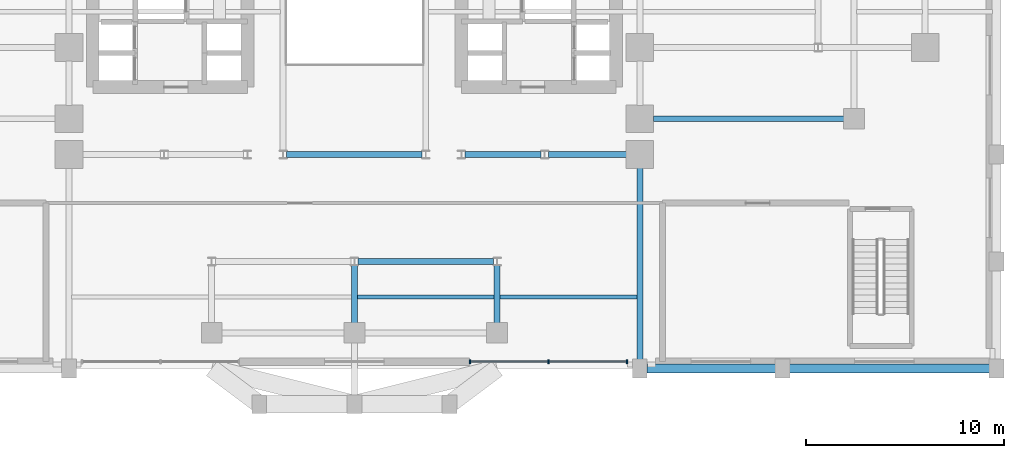
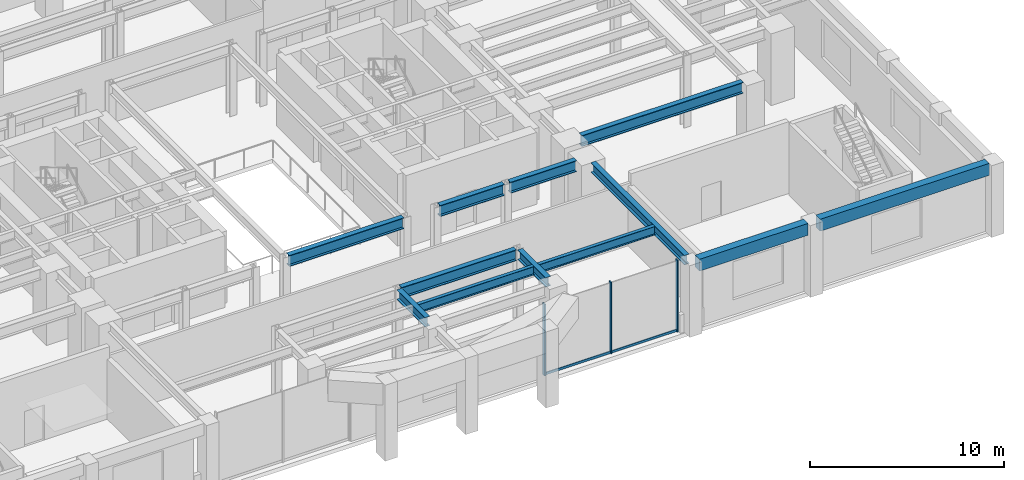
# One storey, part 6 of 14: 12 beams, 5 members, 1 element without a shape of its own.
"""IFC4 building model written with IfcOpenShell, lengths in metres."""

from ifc_helpers import new_model, si_unit, direction, frame, origin, origin_2d, place, context, subcontext, project, spatial, rectangle, i_section, extrude, source, transform, mapped, material, material_profile, profile_set, type_object, element, aggregate, save


model = new_model("IFC4")

# Units and contexts
model_context = context("Model", 3, precision=1e-05, world=origin(), true_north=direction((0.0, 1.0)))
body_context = subcontext(model_context, "Body", "Model", "MODEL_VIEW")
ifc_project = project(units=[si_unit("LENGTHUNIT", "METRE"), si_unit("AREAUNIT", "SQUARE_METRE"), si_unit("VOLUMEUNIT", "CUBIC_METRE"), si_unit("PLANEANGLEUNIT", "RADIAN"), si_unit("MASSUNIT", "GRAM", prefix="KILO")], contexts=[model_context])

# Site, building, storey
site_placement = place(None, origin())
site = spatial("IfcSite", under=ifc_project, at=site_placement, CompositionType="ELEMENT")
building_placement = place(site_placement, origin())
building = spatial("IfcBuilding", under=site, at=building_placement, Name="Keilestroom Media Tower", CompositionType="ELEMENT")
storey_placement = place(building_placement, frame((0.0, 0.0, 5.39990234375)))
storey = spatial("IfcBuildingStorey", under=building, at=storey_placement, Name="L01", CompositionType="ELEMENT", Elevation=5.39990234375)

# Beams
ifc_material_1 = material(Name="Precast concrete C40/50", Category="concrete")
ifc_material_profile_1 = material_profile(ifc_material_1, rectangle(XDim=0.449951171875, YDim=0.75, at=origin_2d()), Name="PC 450x750")
ifc_profile_set_1 = profile_set([ifc_material_profile_1], Name="Precast concrete C40/50")
beam_type_1 = type_object("IfcBeamType", Name="Perimeter-Spandrel-Beam-PC-450x750", PredefinedType="SPANDREL", material=ifc_profile_set_1)
shared_shape_1 = source(origin(), body_context, "Body", "SweptSolid", [
    extrude(rectangle(XDim=0.449951171875, YDim=0.75, at=origin_2d()), origin(), (0.0, 0.0, 1.0), 10.08984375),
])
beam_1_placement = place(storey_placement, frame((21.955078125, -19.800048828125, 4.14501953125), z_axis=(1.0, 0.0, 0.0), x_axis=(0.0, 1.0, 0.0)))
element("IfcBeam", 1, at=beam_1_placement, inside=storey, type_object=beam_type_1, Name="L01 Beam SPB-1 BM-L01-EW-004", PredefinedType="SPANDREL", context=body_context, shape_type="MappedRepresentation", body=[
    mapped(shared_shape_1, transform((0.0, 0.0, 0.0), x_axis=(1.0, 0.0, 0.0), y_axis=(0.0, 1.0, 0.0), z_axis=(0.0, 0.0, 1.0), scale=1.0)),
])
shared_shape_2 = source(origin(), body_context, "Body", "SweptSolid", [
    extrude(rectangle(XDim=0.449951171875, YDim=0.75, at=origin_2d()), origin(), (0.0, 0.0, 1.0), 6.490234375),
])
beam_2_placement = place(storey_placement, frame((14.7548828125, -19.800048828125, 4.14501953125), z_axis=(1.0, 0.0, 0.0), x_axis=(0.0, 1.0, 0.0)))
element("IfcBeam", 2, at=beam_2_placement, inside=storey, type_object=beam_type_1, Name="L01 Beam SPB-1 BM-L01-EW-003", PredefinedType="SPANDREL", context=body_context, shape_type="MappedRepresentation", body=[
    mapped(shared_shape_2, transform((0.0, 0.0, 0.0), x_axis=(1.0, 0.0, 0.0), y_axis=(0.0, 1.0, 0.0), z_axis=(0.0, 0.0, 1.0), scale=1.0)),
])
ifc_material_2 = material(Name="Steel S355", Category="steel")
ifc_material_profile_2 = material_profile(ifc_material_2, i_section(OverallWidth=0.300048828125, OverallDepth=0.60009765625, WebThickness=0.013427734375, FlangeThickness=0.030029296875, at=origin_2d()), Name="HEB 600")
ifc_profile_set_2 = profile_set([ifc_material_profile_2], Name="Steel S355")
beam_type_2 = type_object("IfcBeamType", Name="Primary-Structural-Girder-HEB-600", PredefinedType="BEAM", material=ifc_profile_set_2)
shared_shape_3 = source(origin(), body_context, "Body", "SweptSolid", [
    extrude(i_section(OverallWidth=0.300048828125, OverallDepth=0.60009765625, WebThickness=0.013427734375, FlangeThickness=0.030029296875, at=origin_2d()), origin(), (0.0, 0.0, 1.0), 9.6650390625),
])
beam_3_placement = place(storey_placement, frame((14.39990234375, -19.344970703125, 4.22021484375), z_axis=(0.0, 1.0, 0.0), x_axis=(-1.0, 0.0, 0.0)))
element("IfcBeam", 3, at=beam_3_placement, inside=storey, type_object=beam_type_2, Name="L01 Beam BG-4 BM-L01-NS-075", PredefinedType="BEAM", context=body_context, shape_type="MappedRepresentation", body=[
    mapped(shared_shape_3, transform((0.0, 0.0, 0.0), x_axis=(1.0, 0.0, 0.0), y_axis=(0.0, 1.0, 0.0), z_axis=(0.0, 0.0, 1.0), scale=1.0)),
])
shared_shape_4 = source(origin(), body_context, "Body", "SweptSolid", [
    extrude(i_section(OverallWidth=0.300048828125, OverallDepth=0.60009765625, WebThickness=0.013427734375, FlangeThickness=0.030029296875, at=origin_2d()), origin(), (0.0, 0.0, 1.0), 2.9072265625),
])
for number, where, z_axis, x_axis, name in (
    (4, (0.0, -17.4951171875, 4.22021484375), (0.0, 1.0, 0.0), (-1.0, 0.0, 0.0), "L01 Beam BG-4 BM-L01-NS-067"),
    (5, (7.199951171875, -17.4951171875, 4.22021484375), (0.0, 1.0, 0.0), (-1.0, 0.0, 0.0), "L01 Beam BG-4 BM-L01-NS-072"),
):
    element("IfcBeam", number, at=place(storey_placement, frame(where, z_axis=z_axis, x_axis=x_axis)), inside=storey, type_object=beam_type_2, Name=name, PredefinedType="BEAM", context=body_context, shape_type="MappedRepresentation", body=[
        mapped(shared_shape_4, transform((0.0, 0.0, 0.0), x_axis=(1.0, 0.0, 0.0), y_axis=(0.0, 1.0, 0.0), z_axis=(0.0, 0.0, 1.0), scale=1.0)),
    ])
ifc_material_3 = material(Name="Steel S460", Category="steel")
ifc_material_profile_3 = material_profile(ifc_material_3, i_section(OverallWidth=0.300048828125, OverallDepth=0.699951171875, WebThickness=0.014404296875, FlangeThickness=0.031982421875, at=origin_2d()), Name="HEB 700")
ifc_profile_set_3 = profile_set([ifc_material_profile_3], Name="Steel S460")
beam_type_3 = type_object("IfcBeamType", Name="Primary-Structural-Girder-HEB-700", PredefinedType="BEAM", material=ifc_profile_set_3)
shared_shape_5 = source(origin(), body_context, "Body", "SweptSolid", [
    extrude(i_section(OverallWidth=0.300048828125, OverallDepth=0.699951171875, WebThickness=0.014404296875, FlangeThickness=0.031982421875, at=origin_2d()), origin(), (0.0, 0.0, 1.0), 6.833984375),
])
for number, where, z_axis, x_axis, name in (
    (6, (0.18310546875, -14.39990234375, 4.170166015625), (1.0, 0.0, 0.0), (0.0, 1.0, 0.0), "L01 Beam BG-2 BM-L01-EW-008"),
    (7, (-3.4169921875, -9.0, 4.170166015625), (1.0, 0.0, 0.0), (0.0, 1.0, 0.0), "L01 Beam BG-2 BM-L01-EW-012"),
):
    element("IfcBeam", number, at=place(storey_placement, frame(where, z_axis=z_axis, x_axis=x_axis)), inside=storey, type_object=beam_type_3, Name=name, PredefinedType="BEAM", context=body_context, shape_type="MappedRepresentation", body=[
        mapped(shared_shape_5, transform((0.0, 0.0, 0.0), x_axis=(1.0, 0.0, 0.0), y_axis=(0.0, 1.0, 0.0), z_axis=(0.0, 0.0, 1.0), scale=1.0)),
    ])
shared_shape_6 = source(origin(), body_context, "Body", "SweptSolid", [
    extrude(i_section(OverallWidth=0.300048828125, OverallDepth=0.699951171875, WebThickness=0.014404296875, FlangeThickness=0.031982421875, at=origin_2d()), origin(), (0.0, 0.0, 1.0), 3.93701171875),
])
beam_4_placement = place(storey_placement, frame((9.782958984375, -9.0, 4.170166015625), z_axis=(1.0, 0.0, 0.0), x_axis=(0.0, 1.0, 0.0)))
element("IfcBeam", 8, at=beam_4_placement, inside=storey, type_object=beam_type_3, Name="L01 Beam BG-2 BM-L01-EW-015", PredefinedType="BEAM", context=body_context, shape_type="MappedRepresentation", body=[
    mapped(shared_shape_6, transform((0.0, 0.0, 0.0), x_axis=(1.0, 0.0, 0.0), y_axis=(0.0, 1.0, 0.0), z_axis=(0.0, 0.0, 1.0), scale=1.0)),
])
shared_shape_7 = source(origin(), body_context, "Body", "SweptSolid", [
    extrude(i_section(OverallWidth=0.300048828125, OverallDepth=0.699951171875, WebThickness=0.014404296875, FlangeThickness=0.031982421875, at=origin_2d()), origin(), (0.0, 0.0, 1.0), 3.833984375),
])
beam_5_placement = place(storey_placement, frame((5.5830078125, -9.0, 4.170166015625), z_axis=(1.0, 0.0, 0.0), x_axis=(0.0, 1.0, 0.0)))
element("IfcBeam", 9, at=beam_5_placement, inside=storey, type_object=beam_type_3, Name="L01 Beam BG-2 BM-L01-EW-014", PredefinedType="BEAM", context=body_context, shape_type="MappedRepresentation", body=[
    mapped(shared_shape_7, transform((0.0, 0.0, 0.0), x_axis=(1.0, 0.0, 0.0), y_axis=(0.0, 1.0, 0.0), z_axis=(0.0, 0.0, 1.0), scale=1.0)),
])
shared_shape_8 = source(origin(), body_context, "Body", "SweptSolid", [
    extrude(i_section(OverallWidth=0.300048828125, OverallDepth=0.699951171875, WebThickness=0.014404296875, FlangeThickness=0.031982421875, at=origin_2d()), origin(), (0.0, 0.0, 1.0), 9.614990234375),
])
beam_6_placement = place(storey_placement, frame((15.080078125, -7.199951171875, 4.170166015625), z_axis=(1.0, 0.0, 0.0), x_axis=(0.0, 1.0, 0.0)))
element("IfcBeam", 10, at=beam_6_placement, inside=storey, type_object=beam_type_3, Name="L01 Beam BG-2 BM-L01-EW-017", PredefinedType="BEAM", context=body_context, shape_type="MappedRepresentation", body=[
    mapped(shared_shape_8, transform((0.0, 0.0, 0.0), x_axis=(1.0, 0.0, 0.0), y_axis=(0.0, 1.0, 0.0), z_axis=(0.0, 0.0, 1.0), scale=1.0)),
])
ifc_material_profile_4 = material_profile(ifc_material_2, i_section(OverallWidth=0.2099609375, OverallDepth=0.550048828125, WebThickness=0.010986328125, FlangeThickness=0.01708984375, at=origin_2d()), Name="IPE 550")
ifc_profile_set_4 = profile_set([ifc_material_profile_4], Name="Steel S355")
beam_type_4 = type_object("IfcBeamType", Name="Secondary-Floor-Joist-IPE-550", PredefinedType="JOIST", material=ifc_profile_set_4)
shared_shape_9 = source(origin(), body_context, "Body", "SweptSolid", [
    extrude(i_section(OverallWidth=0.2099609375, OverallDepth=0.550048828125, WebThickness=0.010986328125, FlangeThickness=0.01708984375, at=origin_2d()), origin(), (0.0, 0.0, 1.0), 6.93994140625),
])
beam_7_placement = place(storey_placement, frame((7.330078125, -16.199951171875, 4.2451171875), z_axis=(1.0, 0.0, 0.0), x_axis=(0.0, 1.0, 0.0)))
element("IfcBeam", 11, at=beam_7_placement, inside=storey, type_object=beam_type_4, Name="L01 Beam BJ-1 JST-L01-094", PredefinedType="JOIST", context=body_context, shape_type="MappedRepresentation", body=[
    mapped(shared_shape_9, transform((0.0, 0.0, 0.0), x_axis=(1.0, 0.0, 0.0), y_axis=(0.0, 1.0, 0.0), z_axis=(0.0, 0.0, 1.0), scale=1.0)),
])
shared_shape_10 = source(origin(), body_context, "Body", "SweptSolid", [
    extrude(i_section(OverallWidth=0.2099609375, OverallDepth=0.550048828125, WebThickness=0.010986328125, FlangeThickness=0.01708984375, at=origin_2d()), origin(), (0.0, 0.0, 1.0), 6.940185546875),
])
beam_8_placement = place(storey_placement, frame((0.1298828125, -16.199951171875, 4.2451171875), z_axis=(1.0, 0.0, 0.0), x_axis=(0.0, 1.0, 0.0)))
element("IfcBeam", 12, at=beam_8_placement, inside=storey, type_object=beam_type_4, Name="L01 Beam BJ-1 JST-L01-093", PredefinedType="JOIST", context=body_context, shape_type="MappedRepresentation", body=[
    mapped(shared_shape_10, transform((0.0, 0.0, 0.0), x_axis=(1.0, 0.0, 0.0), y_axis=(0.0, 1.0, 0.0), z_axis=(0.0, 0.0, 1.0), scale=1.0)),
])

# Curtain wall, members
ifc_material_4 = material(Name="Anodised Aluminium Alloy", Category="aluminium")
curtain_wall_type = type_object("IfcCurtainWallType", Name="Unitised-Curtain-Wall-CW-7", PredefinedType="NOTDEFINED", material=ifc_material_4)
curtain_wall_placement = place(storey_placement, origin())
curtain_wall = element("IfcCurtainWall", 13, at=curtain_wall_placement, inside=storey, type_object=curtain_wall_type, Name="L01 Curtain Wall CW-7 CW-L01-S-ATE", PredefinedType="NOTDEFINED")
ifc_material_profile_5 = material_profile(ifc_material_4, rectangle(XDim=0.06494140625, YDim=0.14990234375, at=origin_2d()), Name="ALU TRANSOM 65x150")
ifc_profile_set_5 = profile_set([ifc_material_profile_5], Name="Anodised Aluminium Alloy")
member_type_1 = type_object("IfcMemberType", Name="Curtain-Wall-Transom-CW-7", PredefinedType="USERDEFINED", material=ifc_profile_set_5)
shared_shape_11 = source(origin(), body_context, "Body", "SweptSolid", [
    extrude(rectangle(XDim=0.06494140625, YDim=0.14990234375, at=origin_2d()), origin(), (0.0, 0.0, 1.0), 3.888916015625),
])
member_1_placement = place(storey_placement, frame((9.822998046875, -19.449951171875, 0.0751953125), z_axis=(1.0, 0.0, 0.0), x_axis=(0.0, 1.0, 0.0)))
member_1 = element("IfcMember", 14, at=member_1_placement, type_object=member_type_1, Name="CW-7 Transom 01.1", ObjectType="TRANSOM", PredefinedType="USERDEFINED", context=body_context, shape_type="MappedRepresentation", body=[
    mapped(shared_shape_11, transform((0.0, 0.0, 0.0), x_axis=(1.0, 0.0, 0.0), y_axis=(0.0, 1.0, 0.0), z_axis=(0.0, 0.0, 1.0), scale=1.0)),
])
shared_shape_12 = source(origin(), body_context, "Body", "SweptSolid", [
    extrude(rectangle(XDim=0.06494140625, YDim=0.14990234375, at=origin_2d()), origin(), (0.0, 0.0, 1.0), 3.88916015625),
])
member_2_placement = place(storey_placement, frame((5.867919921875, -19.449951171875, 0.0751953125), z_axis=(1.0, 0.0, 0.0), x_axis=(0.0, 1.0, 0.0)))
member_2 = element("IfcMember", 15, at=member_2_placement, type_object=member_type_1, Name="CW-7 Transom 00.1", ObjectType="TRANSOM", PredefinedType="USERDEFINED", context=body_context, shape_type="MappedRepresentation", body=[
    mapped(shared_shape_12, transform((0.0, 0.0, 0.0), x_axis=(1.0, 0.0, 0.0), y_axis=(0.0, 1.0, 0.0), z_axis=(0.0, 0.0, 1.0), scale=1.0)),
])
ifc_material_profile_6 = material_profile(ifc_material_4, rectangle(XDim=0.070068359375, YDim=0.199951171875, at=origin_2d()), Name="ALU MULLION 70x200")
ifc_profile_set_6 = profile_set([ifc_material_profile_6], Name="Anodised Aluminium Alloy")
member_type_2 = type_object("IfcMemberType", Name="Curtain-Wall-Mullion-CW-7", PredefinedType="MULLION", material=ifc_profile_set_6)
shared_shape_13 = source(origin(), body_context, "Body", "SweptSolid", [
    extrude(rectangle(XDim=0.070068359375, YDim=0.199951171875, at=origin_2d()), origin(), (0.0, 0.0, 1.0), 4.52001953125),
])
member_3_placement = place(storey_placement, frame((5.8349609375, -19.449951171875, 0.0), z_axis=(0.0, 0.0, 1.0), x_axis=(1.0, 0.0, 0.0)))
member_3 = element("IfcMember", 16, at=member_3_placement, type_object=member_type_2, Name="CW-7 Mullion 00", PredefinedType="MULLION", context=body_context, shape_type="MappedRepresentation", body=[
    mapped(shared_shape_13, transform((0.0, 0.0, 0.0), x_axis=(1.0, 0.0, 0.0), y_axis=(0.0, 1.0, 0.0), z_axis=(0.0, 0.0, 1.0), scale=1.0)),
])
member_4_placement = place(storey_placement, frame((9.7900390625, -19.449951171875, 0.0), z_axis=(0.0, 0.0, 1.0), x_axis=(1.0, 0.0, 0.0)))
member_4 = element("IfcMember", 17, at=member_4_placement, type_object=member_type_2, Name="CW-7 Mullion 01", PredefinedType="MULLION", context=body_context, shape_type="MappedRepresentation", body=[
    mapped(shared_shape_13, transform((0.0, 0.0, 0.0), x_axis=(1.0, 0.0, 0.0), y_axis=(0.0, 1.0, 0.0), z_axis=(0.0, 0.0, 1.0), scale=1.0)),
])
member_5_placement = place(storey_placement, frame((13.7451171875, -19.449951171875, 0.0), z_axis=(0.0, 0.0, 1.0), x_axis=(1.0, 0.0, 0.0)))
member_5 = element("IfcMember", 18, at=member_5_placement, type_object=member_type_2, Name="CW-7 Mullion 02", PredefinedType="MULLION", context=body_context, shape_type="MappedRepresentation", body=[
    mapped(shared_shape_13, transform((0.0, 0.0, 0.0), x_axis=(1.0, 0.0, 0.0), y_axis=(0.0, 1.0, 0.0), z_axis=(0.0, 0.0, 1.0), scale=1.0)),
])
aggregate(curtain_wall, [member_3, member_4, member_5, member_2, member_1])

save(model, "model.ifc")
